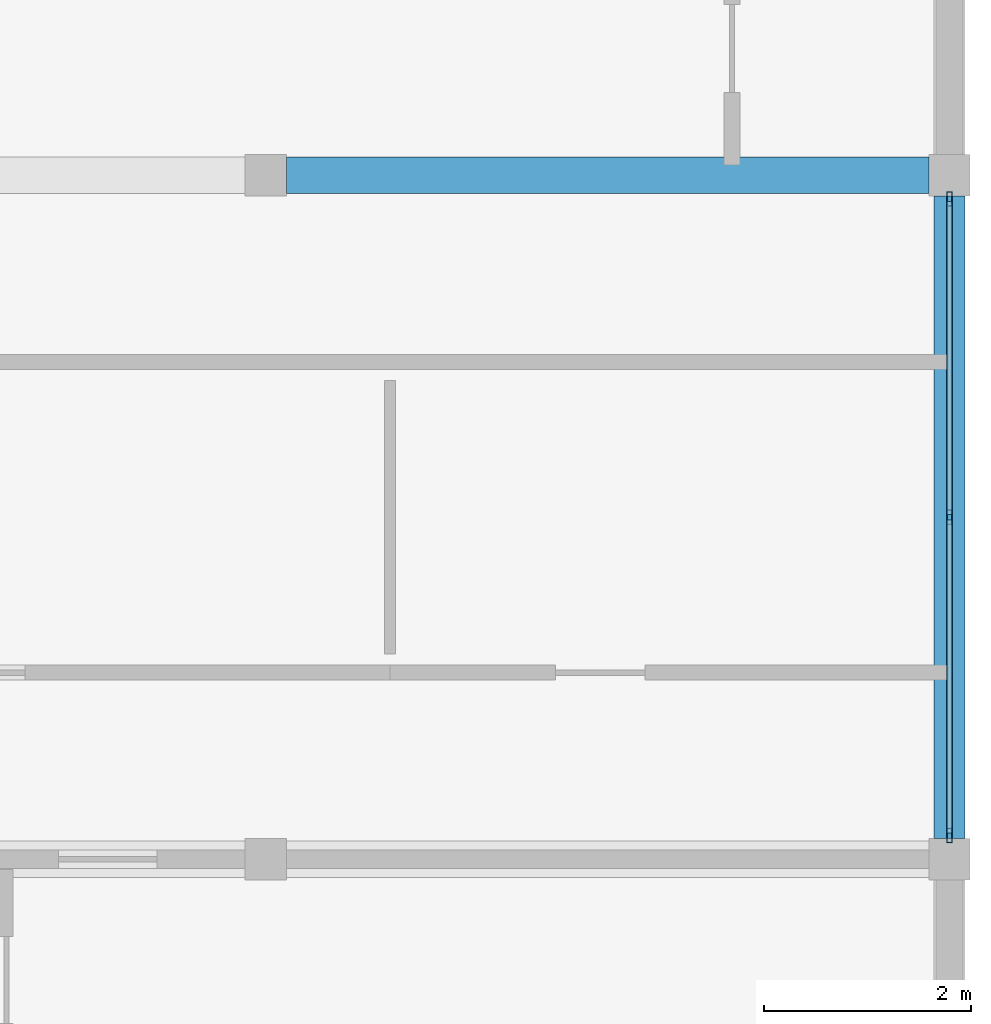
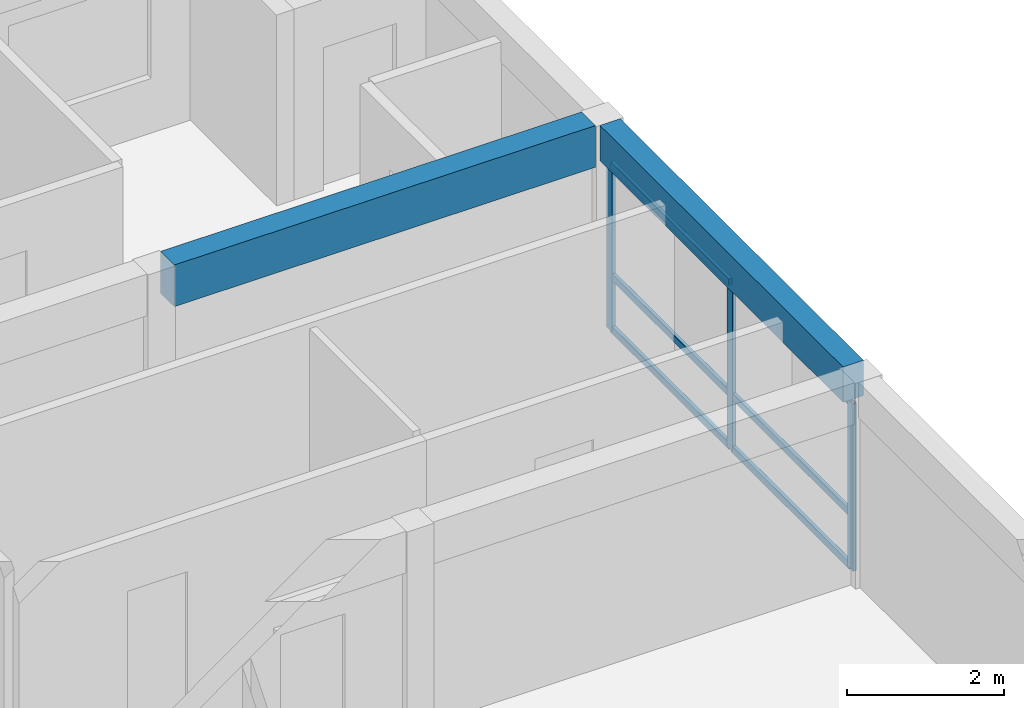
# One storey, part 14 of 37: 9 members, 2 beams, 1 element without a shape of its own.
"""IFC4 building model written with IfcOpenShell, lengths in metres."""

from ifc_helpers import new_model, si_unit, direction, frame, origin, origin_2d, place, context, subcontext, project, spatial, rectangle, hollow_rectangle, extrude, material, material_profile, profile_set, type_object, element, aggregate, save


model = new_model("IFC4")

# Units and contexts
model_context = context("Model", 3, precision=1e-05, world=origin(), true_north=direction((0.0, 1.0)))
body_context = subcontext(model_context, "Body", "Model", "MODEL_VIEW")
ifc_project = project(units=[si_unit("LENGTHUNIT", "METRE"), si_unit("AREAUNIT", "SQUARE_METRE"), si_unit("VOLUMEUNIT", "CUBIC_METRE"), si_unit("PLANEANGLEUNIT", "RADIAN"), si_unit("MASSUNIT", "GRAM", prefix="KILO")], contexts=[model_context])

# Site, building, storey
site_placement = place(None, origin())
site = spatial("IfcSite", under=ifc_project, at=site_placement, CompositionType="ELEMENT")
building_placement = place(site_placement, origin())
building = spatial("IfcBuilding", under=site, at=building_placement, Name="Kernevlak Ridge Housing Community", CompositionType="ELEMENT")
storey_placement = place(building_placement, frame((0.0, 0.0, 37.199951171875)))
storey = spatial("IfcBuildingStorey", under=building, at=storey_placement, Name="L11", CompositionType="ELEMENT", Elevation=37.199951171875)

# Beam
ifc_material_1 = material(Name="Concrete C35/45", Category="concrete")
ifc_material_profile_1 = material_profile(ifc_material_1, rectangle(XDim=0.35009765625, YDim=0.64990234375, at=origin_2d()), Name="RC 350x650")
ifc_profile_set_1 = profile_set([ifc_material_profile_1], Name="Concrete C35/45")
beam_type_1 = type_object("IfcBeamType", Name="B-02", PredefinedType="BEAM", material=ifc_profile_set_1)
beam_1_placement = place(storey_placement, frame((146.0, 95.800048828125, 2.875), z_axis=(1.0, 0.0, 0.0), x_axis=(0.0, 1.0, 0.0)))
element("IfcBeam", 1, at=beam_1_placement, inside=storey, type_object=beam_type_1, Name="Beam B-02 L11 877", PredefinedType="BEAM", context=body_context, shape_type="SweptSolid", body=[
    extrude(rectangle(XDim=0.35009765625, YDim=0.64990234375, at=origin_2d()), origin(), (0.0, 0.0, 1.0), 6.199951171875),
])

# Curtain wall, members
ifc_material_2 = material(Name="Aluminium EN AW-6060 anodised and laminated glass", Category="aluminium")
curtain_wall_type = type_object("IfcCurtainWallType", Name="CW-11", PredefinedType="NOTDEFINED", material=ifc_material_2)
curtain_wall_placement = place(storey_placement, origin())
curtain_wall = element("IfcCurtainWall", 2, at=curtain_wall_placement, inside=storey, type_object=curtain_wall_type, Name="Curtain wall CW-11 CW-L11-090", PredefinedType="NOTDEFINED")
ifc_material_3 = material(Name="Aluminium EN AW-6060 anodised", Category="aluminium")
ifc_material_profile_2 = material_profile(ifc_material_3, hollow_rectangle(XDim=0.054931640625, YDim=0.139892578125, WallThickness=0.00390625, InnerFilletRadius=0.001953125, OuterFilletRadius=0.00390625, at=origin_2d()), Name="ALU 55x140x4")
ifc_profile_set_2 = profile_set([ifc_material_profile_2], Name="Aluminium EN AW-6060 anodised")
member_type_1 = type_object("IfcMemberType", Name="MU-01", PredefinedType="MULLION", material=ifc_profile_set_2)
member_1_placement = place(storey_placement, frame((152.39990234375, 89.427490234375, 0.0), z_axis=(0.0, 0.0, 1.0), x_axis=(-1.0, 0.0, 0.0)))
member_1 = element("IfcMember", 3, at=member_1_placement, type_object=member_type_1, Name="CW-11 mullion 1", PredefinedType="MULLION", context=body_context, shape_type="SweptSolid", body=[
    extrude(hollow_rectangle(XDim=0.054931640625, YDim=0.139892578125, WallThickness=0.00390625, InnerFilletRadius=0.001953125, OuterFilletRadius=0.00390625, at=origin_2d()), origin(), (0.0, 0.0, 1.0), 2.60009765625),
])
member_2_placement = place(storey_placement, frame((152.39990234375, 92.5, 0.0), z_axis=(0.0, 0.0, 1.0), x_axis=(-1.0, 0.0, 0.0)))
member_2 = element("IfcMember", 4, at=member_2_placement, type_object=member_type_1, Name="CW-11 mullion 2", PredefinedType="MULLION", context=body_context, shape_type="SweptSolid", body=[
    extrude(hollow_rectangle(XDim=0.054931640625, YDim=0.139892578125, WallThickness=0.00390625, InnerFilletRadius=0.001953125, OuterFilletRadius=0.00390625, at=origin_2d()), origin(), (0.0, 0.0, 1.0), 2.60009765625),
])
member_3_placement = place(storey_placement, frame((152.39990234375, 95.572509765625, 0.0), z_axis=(0.0, 0.0, 1.0), x_axis=(-1.0, 0.0, 0.0)))
member_3 = element("IfcMember", 5, at=member_3_placement, type_object=member_type_1, Name="CW-11 mullion 3", PredefinedType="MULLION", context=body_context, shape_type="SweptSolid", body=[
    extrude(hollow_rectangle(XDim=0.054931640625, YDim=0.139892578125, WallThickness=0.00390625, InnerFilletRadius=0.001953125, OuterFilletRadius=0.00390625, at=origin_2d()), origin(), (0.0, 0.0, 1.0), 2.60009765625),
])

# Beam
ifc_material_profile_3 = material_profile(ifc_material_1, rectangle(XDim=0.300048828125, YDim=0.550048828125, at=origin_2d()), Name="RC 300x550")
ifc_profile_set_3 = profile_set([ifc_material_profile_3], Name="Concrete C35/45")
beam_type_2 = type_object("IfcBeamType", Name="SP-01", PredefinedType="SPANDREL", material=ifc_profile_set_3)
beam_2_placement = place(storey_placement, frame((152.39990234375, 89.39990234375, 2.925048828125), z_axis=(0.0, 1.0, 0.0), x_axis=(-1.0, 0.0, 0.0)))
element("IfcBeam", 6, at=beam_2_placement, inside=storey, type_object=beam_type_2, Name="Beam SP-01 L11 887", PredefinedType="SPANDREL", context=body_context, shape_type="SweptSolid", body=[
    extrude(rectangle(XDim=0.300048828125, YDim=0.550048828125, at=origin_2d()), origin(), (0.0, 0.0, 1.0), 6.2001953125),
])

# Member
ifc_material_profile_4 = material_profile(ifc_material_3, hollow_rectangle(XDim=0.054931640625, YDim=0.110107421875, WallThickness=0.00390625, InnerFilletRadius=0.001953125, OuterFilletRadius=0.00390625, at=origin_2d()), Name="ALU 55x110x4")
ifc_profile_set_4 = profile_set([ifc_material_profile_4], Name="Aluminium EN AW-6060 anodised")
member_type_2 = type_object("IfcMemberType", Name="TM-01", PredefinedType="USERDEFINED", material=ifc_profile_set_4)
member_4_placement = place(storey_placement, frame((152.39990234375, 89.455078125, 0.027587890625), z_axis=(0.0, 1.0, 0.0), x_axis=(-1.0, 0.0, 0.0)))
member_4 = element("IfcMember", 7, at=member_4_placement, type_object=member_type_2, Name="CW-11 transom 1.1", ObjectType="TRANSOM", PredefinedType="USERDEFINED", context=body_context, shape_type="SweptSolid", body=[
    extrude(hollow_rectangle(XDim=0.054931640625, YDim=0.110107421875, WallThickness=0.00390625, InnerFilletRadius=0.001953125, OuterFilletRadius=0.00390625, at=origin_2d()), origin(), (0.0, 0.0, 1.0), 3.017333984375),
])

member_5_placement = place(storey_placement, frame((152.39990234375, 89.455078125, 0.85009765625), z_axis=(0.0, 1.0, 0.0), x_axis=(-1.0, 0.0, 0.0)))
member_5 = element("IfcMember", 8, at=member_5_placement, type_object=member_type_2, Name="CW-11 transom 1.2", ObjectType="TRANSOM", PredefinedType="USERDEFINED", context=body_context, shape_type="SweptSolid", body=[
    extrude(hollow_rectangle(XDim=0.054931640625, YDim=0.110107421875, WallThickness=0.00390625, InnerFilletRadius=0.001953125, OuterFilletRadius=0.00390625, at=origin_2d()), origin(), (0.0, 0.0, 1.0), 3.017333984375),
])

member_6_placement = place(storey_placement, frame((152.39990234375, 89.455078125, 2.572509765625), z_axis=(0.0, 1.0, 0.0), x_axis=(-1.0, 0.0, 0.0)))
member_6 = element("IfcMember", 9, at=member_6_placement, type_object=member_type_2, Name="CW-11 transom 1.3", ObjectType="TRANSOM", PredefinedType="USERDEFINED", context=body_context, shape_type="SweptSolid", body=[
    extrude(hollow_rectangle(XDim=0.054931640625, YDim=0.110107421875, WallThickness=0.00390625, InnerFilletRadius=0.001953125, OuterFilletRadius=0.00390625, at=origin_2d()), origin(), (0.0, 0.0, 1.0), 3.017333984375),
])

member_7_placement = place(storey_placement, frame((152.39990234375, 92.527587890625, 0.027587890625), z_axis=(0.0, 1.0, 0.0), x_axis=(-1.0, 0.0, 0.0)))
member_7 = element("IfcMember", 10, at=member_7_placement, type_object=member_type_2, Name="CW-11 transom 2.1", ObjectType="TRANSOM", PredefinedType="USERDEFINED", context=body_context, shape_type="SweptSolid", body=[
    extrude(hollow_rectangle(XDim=0.054931640625, YDim=0.110107421875, WallThickness=0.00390625, InnerFilletRadius=0.001953125, OuterFilletRadius=0.00390625, at=origin_2d()), origin(), (0.0, 0.0, 1.0), 3.017333984375),
])

member_8_placement = place(storey_placement, frame((152.39990234375, 92.527587890625, 0.85009765625), z_axis=(0.0, 1.0, 0.0), x_axis=(-1.0, 0.0, 0.0)))
member_8 = element("IfcMember", 11, at=member_8_placement, type_object=member_type_2, Name="CW-11 transom 2.2", ObjectType="TRANSOM", PredefinedType="USERDEFINED", context=body_context, shape_type="SweptSolid", body=[
    extrude(hollow_rectangle(XDim=0.054931640625, YDim=0.110107421875, WallThickness=0.00390625, InnerFilletRadius=0.001953125, OuterFilletRadius=0.00390625, at=origin_2d()), origin(), (0.0, 0.0, 1.0), 3.017333984375),
])

member_9_placement = place(storey_placement, frame((152.39990234375, 92.527587890625, 2.572509765625), z_axis=(0.0, 1.0, 0.0), x_axis=(-1.0, 0.0, 0.0)))
member_9 = element("IfcMember", 12, at=member_9_placement, type_object=member_type_2, Name="CW-11 transom 2.3", ObjectType="TRANSOM", PredefinedType="USERDEFINED", context=body_context, shape_type="SweptSolid", body=[
    extrude(hollow_rectangle(XDim=0.054931640625, YDim=0.110107421875, WallThickness=0.00390625, InnerFilletRadius=0.001953125, OuterFilletRadius=0.00390625, at=origin_2d()), origin(), (0.0, 0.0, 1.0), 3.017333984375),
])

aggregate(curtain_wall, [member_1, member_2, member_3, member_4, member_5, member_6, member_7, member_8, member_9])

save(model, "model.ifc")
